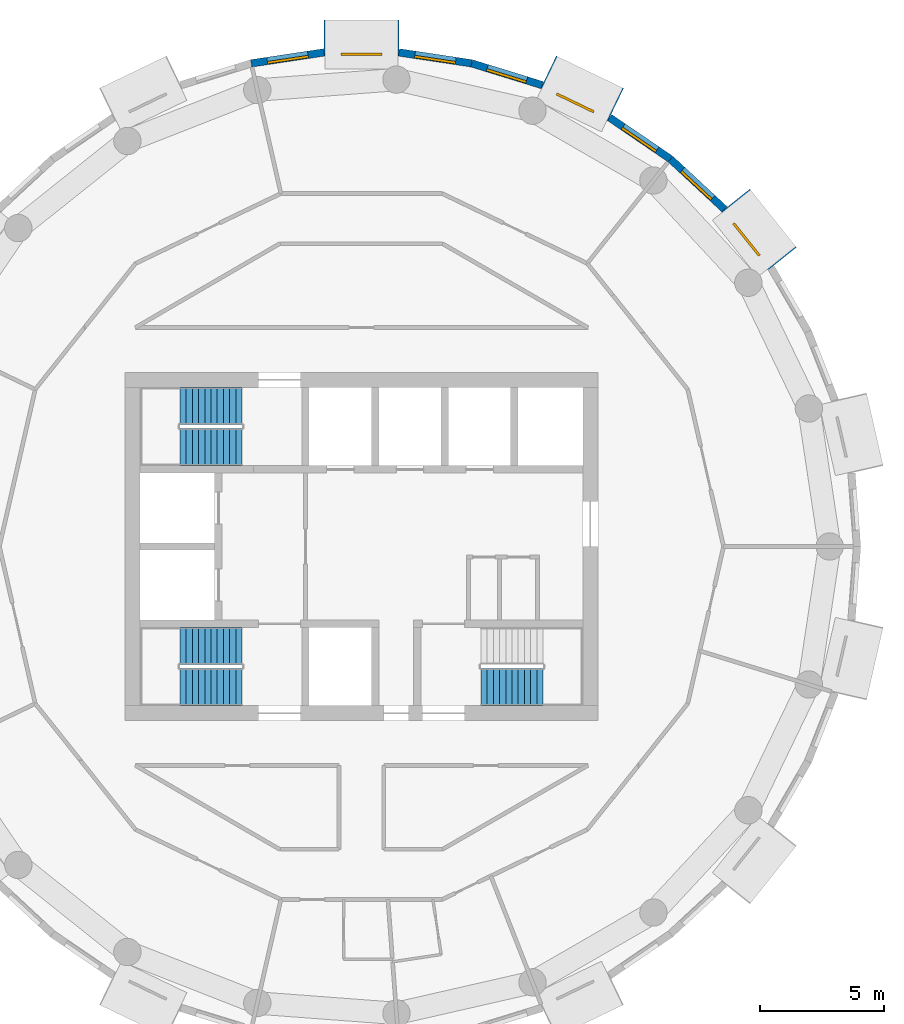
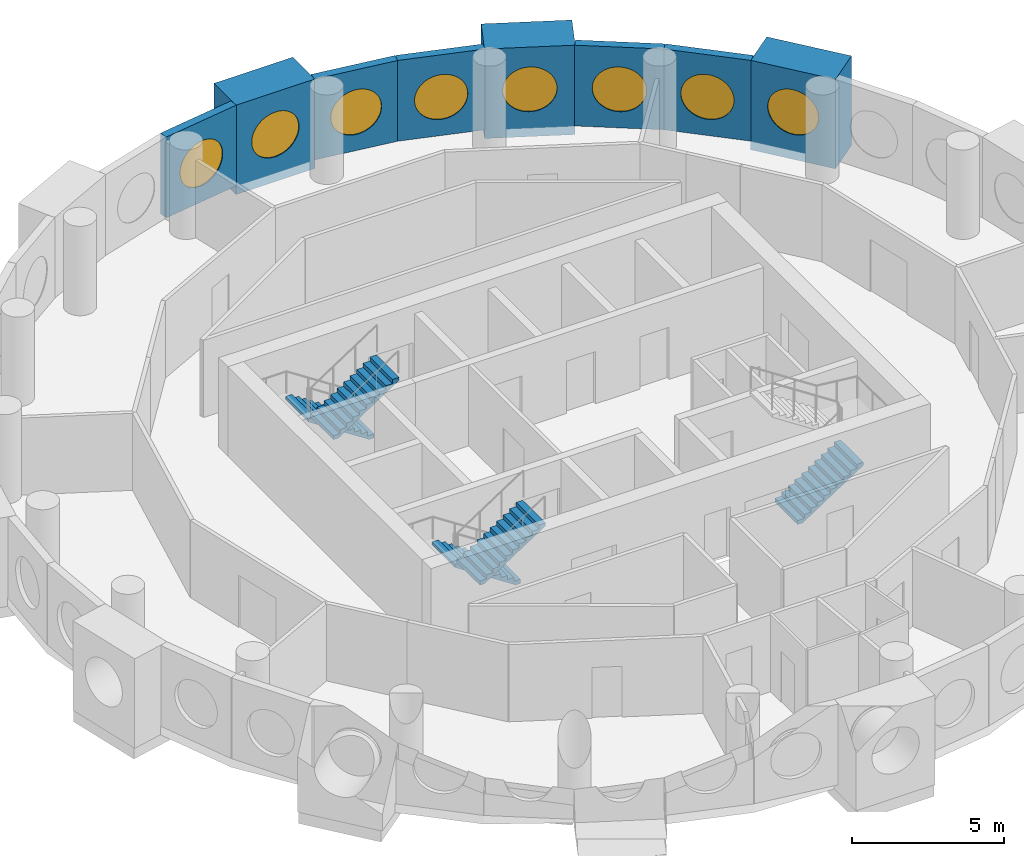
# One storey, part 11 of 13: 8 walls, 8 windows, 5 stair flights, 8 openings, 3 elements without a shape of their own.
"""IFC4 building model written with IfcOpenShell, lengths in metres."""

import ifcopenshell
import ifcopenshell.guid

model = None  # the IFC model being written
_history = None  # IfcOwnerHistory: only IFC2X3 demands one
_inside = {}  # id of a spatial element -> (the spatial element, [elements in it])
_under = {}  # id of a project, library or spatial element -> (it, [spatial elements below it])
_declared = {}  # id of a project -> (the project, [libraries it declares])
_typed = {}  # id of a type object -> (the type object, [elements of that type])
_made_of = {}  # id of a material, layer set ... -> (it, [elements and type objects made of it])


def new_model(schema):
    """Start an empty IFC model of exactly this schema.

    Asked for "IFC4X3", IfcOpenShell would pick the latest addendum, in which some entities
    have other attributes; the version numbers below select the first issue.
    IFC2X3 requires an IfcOwnerHistory on every rooted entity: one is made here for all.
    """
    global model, _history
    if schema == "IFC4X3":
        model = ifcopenshell.file(schema_version=(4, 3, 0, 0))
    else:
        model = ifcopenshell.file(schema=schema)
    _inside.clear()
    _under.clear()
    _declared.clear()
    _typed.clear()
    _made_of.clear()
    _history = None
    if model.schema == "IFC2X3":
        org = make("IfcOrganization", Name="unknown")
        user = make(
            "IfcPersonAndOrganization",
            ThePerson=make("IfcPerson", FamilyName="unknown"),
            TheOrganization=org,
        )
        app = make(
            "IfcApplication",
            ApplicationDeveloper=org,
            Version="unknown",
            ApplicationFullName="unknown",
            ApplicationIdentifier="unknown",
        )
        _history = make(
            "IfcOwnerHistory",
            OwningUser=user,
            OwningApplication=app,
            ChangeAction="ADDED",
            CreationDate=0,
        )
    return model


def make(cls, **values):
    """One entity of the class cls with the attributes given. An attribute that is None is left unset."""
    return model.create_entity(
        cls, **{name: value for name, value in values.items() if value is not None}
    )


def rooted(cls, **values):
    """An entity with a GlobalId (a new one), such as an element, a storey or a relation."""
    return make(cls, GlobalId=ifcopenshell.guid.new(), OwnerHistory=_history, **values)


def si_unit(unit_type, name, prefix=None):
    """IfcSIUnit, for example si_unit("LENGTHUNIT", "METRE", prefix="MILLI")."""
    return make("IfcSIUnit", UnitType=unit_type, Prefix=prefix, Name=name)


def assignment(units):
    """IfcUnitAssignment: the units of a project."""
    return None if units is None else make("IfcUnitAssignment", Units=units)


def point(xyz):
    """IfcCartesianPoint."""
    return None if xyz is None else make("IfcCartesianPoint", Coordinates=xyz)


def direction(xyz):
    """IfcDirection."""
    return None if xyz is None else make("IfcDirection", DirectionRatios=xyz)


def frame(location, z_axis=None, x_axis=None):
    """IfcAxis2Placement3D, a coordinate frame: its origin and axes. An axis left out is left unset."""
    return make(
        "IfcAxis2Placement3D",
        Location=point(location),
        Axis=direction(z_axis),
        RefDirection=direction(x_axis),
    )


def frame_2d(location, x_axis=None):
    """IfcAxis2Placement2D, a coordinate frame in the plane: its origin and x axis."""
    return make(
        "IfcAxis2Placement2D", Location=point(location), RefDirection=direction(x_axis)
    )


def origin():
    """The frame at (0, 0, 0) with its axes left unset."""
    return frame((0.0, 0.0, 0.0))


def origin_2d():
    """The frame at (0, 0) in the plane with its x axis left unset."""
    return frame_2d((0.0, 0.0))


def place(relative_to, where):
    """IfcLocalPlacement: puts the frame where relative to a parent placement (None: the world)."""
    return make(
        "IfcLocalPlacement", PlacementRelTo=relative_to, RelativePlacement=where
    )


def context(
    kind, dimensions, precision=None, world=None, true_north=None, identifier=None
):
    """IfcGeometricRepresentationContext, for example the 3D "Model" context."""
    return make(
        "IfcGeometricRepresentationContext",
        ContextIdentifier=identifier,
        ContextType=kind,
        CoordinateSpaceDimension=dimensions,
        Precision=precision,
        WorldCoordinateSystem=world,
        TrueNorth=true_north,
    )


def subcontext(parent, identifier, kind, view, scale=None):
    """IfcGeometricRepresentationSubContext, for example "Body" below "Model"."""
    return make(
        "IfcGeometricRepresentationSubContext",
        ContextIdentifier=identifier,
        ContextType=kind,
        ParentContext=parent,
        TargetScale=scale,
        TargetView=view,
    )


def project(units=None, contexts=None):
    """IfcProject with its units and contexts."""
    return rooted(
        "IfcProject",
        Name="project",
        RepresentationContexts=contexts,
        UnitsInContext=assignment(units),
    )


def spatial(cls, under=None, at=None, **own):
    """A site, building, storey or space (cls), placed at a placement, below another one or the project."""
    s = rooted(cls, ObjectPlacement=at, **own)
    if under is not None:
        _under.setdefault(under.id(), (under, []))[1].append(s)
    return s


def polyline(points):
    """IfcPolyline through the points."""
    return make("IfcPolyline", Points=[point(p) for p in points])


def profile(cls, at=None, kind="AREA", **sizes):
    """A parametric profile (cls). Its sizes go by their IFC names, for example OverallWidth=200.0."""
    return make(cls, ProfileType=kind, Position=at, **sizes)


def rectangle(**sizes):
    """IfcRectangleProfileDef."""
    return profile("IfcRectangleProfileDef", **sizes)


def circle(**sizes):
    """IfcCircleProfileDef."""
    return profile("IfcCircleProfileDef", **sizes)


def outline(outer, holes=None, kind="AREA"):
    """IfcArbitraryClosedProfileDef: a profile drawn as a closed curve; with holes, ...WithVoids."""
    if holes is None:
        return make("IfcArbitraryClosedProfileDef", ProfileType=kind, OuterCurve=outer)
    return make(
        "IfcArbitraryProfileDefWithVoids",
        ProfileType=kind,
        OuterCurve=outer,
        InnerCurves=holes,
    )


def extrude(swept, where, along, depth):
    """IfcExtrudedAreaSolid: the profile swept, set in the frame where, extruded along a direction by depth."""
    return make(
        "IfcExtrudedAreaSolid",
        SweptArea=swept,
        Position=where,
        ExtrudedDirection=direction(along),
        Depth=depth,
    )


def shape(context_of_items, identifier, shape_type, items):
    """IfcShapeRepresentation: the items that make up one representation, for example the "Body"."""
    return make(
        "IfcShapeRepresentation",
        ContextOfItems=context_of_items,
        RepresentationIdentifier=identifier,
        RepresentationType=shape_type,
        Items=items,
    )


def material(Name=None, Category=None):
    """IfcMaterial."""
    return make("IfcMaterial", Name=Name, Category=Category)


def layer(
    of_material, thickness, ventilated=None, Name=None, Category=None, Priority=None
):
    """IfcMaterialLayer: one layer of a wall or slab, of a material (None: an air gap)."""
    return make(
        "IfcMaterialLayer",
        Material=of_material,
        LayerThickness=thickness,
        IsVentilated=ventilated,
        Name=Name,
        Category=Category,
        Priority=Priority,
    )


def layer_set(layers, Name=None):
    """IfcMaterialLayerSet."""
    return make("IfcMaterialLayerSet", MaterialLayers=layers, LayerSetName=Name)


def made_of(thing, what):
    """Note that an element or type object is made of a material, layer set ...; save() writes the relation."""
    if what is not None:
        _made_of.setdefault(what.id(), (what, []))[1].append(thing)
    return thing


def type_object(cls, material=None, **own):
    """A type object (cls), such as IfcWallType, which elements share."""
    return made_of(rooted(cls, **own), material)


def element(
    cls,
    number,
    at=None,
    inside=None,
    cuts=None,
    type_object=None,
    material=None,
    context=None,
    identifier="Body",
    shape_type=None,
    held_by="IfcProductDefinitionShape",
    body=None,
    shapes=None,
    **own,
):
    """One element of the class cls, such as IfcWall. Its Tag is "e" and its number.

    at: its placement. inside: the storey or other place that contains it. cuts: it is an
    opening in that element (IfcRelVoidsElement). A single representation is given by context,
    identifier, shape_type and body (its items); several are given by shapes. held_by: the class
    of the entity that holds the representations. save() writes the other relations.
    """
    e = rooted(cls, Tag="e%d" % number, ObjectPlacement=at, **own)
    if body is not None:
        shapes = [shape(context, identifier, shape_type, body)]
    if shapes is not None:
        e.Representation = make(held_by, Representations=shapes)
    if inside is not None:
        _inside.setdefault(inside.id(), (inside, []))[1].append(e)
    if cuts is not None:
        rooted(
            "IfcRelVoidsElement", RelatingBuildingElement=cuts, RelatedOpeningElement=e
        )
    if type_object is not None:
        _typed.setdefault(type_object.id(), (type_object, []))[1].append(e)
    return made_of(e, material)


def fill(opening, filler):
    """IfcRelFillsElement: the door or window that sits in an opening."""
    return rooted(
        "IfcRelFillsElement",
        RelatingOpeningElement=opening,
        RelatedBuildingElement=filler,
    )


def aggregate(whole, parts):
    """IfcRelAggregates: a whole, such as a stair, and the parts it consists of."""
    return rooted("IfcRelAggregates", RelatingObject=whole, RelatedObjects=parts)


def save(model, path):
    """Write the relations noted so far, then the file.

    IfcRelAggregates (storeys below a building ...), IfcRelContainedInSpatialStructure (elements
    in a storey), IfcRelDefinesByType, IfcRelAssociatesMaterial and IfcRelDeclares: one each for
    every whole, place, type object, material and project.
    """
    for whole, parts in _under.values():
        aggregate(whole, parts)
    for where, things in _inside.values():
        rooted(
            "IfcRelContainedInSpatialStructure",
            RelatedElements=things,
            RelatingStructure=where,
        )
    for kind, things in _typed.values():
        rooted("IfcRelDefinesByType", RelatedObjects=things, RelatingType=kind)
    for what, things in _made_of.values():
        rooted("IfcRelAssociatesMaterial", RelatedObjects=things, RelatingMaterial=what)
    for by, libraries in _declared.values():
        rooted("IfcRelDeclares", RelatingContext=by, RelatedDefinitions=libraries)
    model.write(path)


model = new_model("IFC4")

# Units and contexts
model_context = context("Model", 3, precision=1e-05, world=origin(), true_north=direction((0.0, 1.0)))
body_context = subcontext(model_context, "Body", "Model", "MODEL_VIEW")
ifc_project = project(units=[si_unit("LENGTHUNIT", "METRE"), si_unit("AREAUNIT", "SQUARE_METRE"), si_unit("VOLUMEUNIT", "CUBIC_METRE"), si_unit("PLANEANGLEUNIT", "RADIAN"), si_unit("MASSUNIT", "GRAM", prefix="KILO")], contexts=[model_context])

# Site, building, storey
site_placement = place(None, origin())
site = spatial("IfcSite", under=ifc_project, at=site_placement, CompositionType="ELEMENT")
building_placement = place(site_placement, origin())
building = spatial("IfcBuilding", under=site, at=building_placement, Name="Tracery Tower", CompositionType="ELEMENT")
storey_placement = place(building_placement, frame((0.0, 0.0, 270.60009765625)))
storey = spatial("IfcBuildingStorey", under=building, at=storey_placement, Name="L70", CompositionType="ELEMENT", Elevation=270.60009765625)

# Wall, opening, window
ifc_material_1 = material(Name="Precast concrete C50/60", Category="concrete")
ifc_layer_1 = layer(ifc_material_1, 1.449951171875)
ifc_layer_set_1 = layer_set([ifc_layer_1], Name="Deep-set bay unit 3000 x 3600, slab edge 350")
wall_type_1 = type_object("IfcWallType", Name="Deep-set bay unit 3000 x 3600, slab edge 350", PredefinedType="ELEMENTEDWALL", material=ifc_layer_set_1)
wall_1_placement = place(storey_placement, frame((16.916748046875, 11.572021484375, -0.35009765625), z_axis=(0.0, 0.0, 1.0), x_axis=(-0.623523286312, 0.781804778335, 0.0)))
wall_1 = element("IfcWall", 1, at=wall_1_placement, inside=storey, type_object=wall_type_1, Name="Deep-set bay unit 5 at L70", PredefinedType="ELEMENTEDWALL", context=body_context, shape_type="SweptSolid", body=[
    extrude(rectangle(XDim=3.0, YDim=1.449951171875, at=frame_2d((1.5, 0.0))), origin(), (0.0, 0.0, 1.0), 3.60009765625),
])
opening_1_placement = place(wall_1_placement, frame((1.5, 0.0, 1.89990234375)))
opening_1 = element("IfcOpeningElement", 2, at=opening_1_placement, cuts=wall_1, Name="Opening WN1", PredefinedType="OPENING", context=body_context, shape_type="SweptSolid", body=[
    extrude(circle(Radius=0.9000244140625, at=origin_2d()), frame((0.0, 0.73486328125, 0.0), z_axis=(0.0, -1.0, 0.0), x_axis=(1.0, 0.0, 0.0)), (0.0, 0.0, 1.0), 1.469970703125),
])
ifc_material_2 = material(Name="Aluminium frame with tinted double glazing", Category="aluminium")
window_type = type_object("IfcWindowType", Name="Round window 1800", PartitioningType="SINGLE_PANEL", PredefinedType="WINDOW", material=ifc_material_2)
window_1_placement = place(opening_1_placement, origin())
window_1 = element("IfcWindow", 3, at=window_1_placement, inside=storey, type_object=window_type, Name="Round window 5 at L70", OverallHeight=1.800048828125, OverallWidth=1.800048828125, PartitioningType="SINGLE_PANEL", PredefinedType="WINDOW", context=body_context, shape_type="SweptSolid", body=[
    extrude(circle(Radius=0.9000244140625, at=origin_2d()), frame((0.0, 0.69482421875, 0.0), z_axis=(0.0, -1.0, 0.0), x_axis=(1.0, 0.0, 0.0)), (0.0, 0.0, 1.0), 0.10009765625),
])
fill(opening_1, window_1)

wall_2_placement = place(storey_placement, frame((10.220458984375, 17.765869140625, -0.35009765625), z_axis=(0.0, 0.0, 1.0), x_axis=(-0.900953362039, 0.433915935904, 0.0)))
wall_2 = element("IfcWall", 4, at=wall_2_placement, inside=storey, type_object=wall_type_1, Name="Deep-set bay unit 8 at L70", PredefinedType="ELEMENTEDWALL", context=body_context, shape_type="SweptSolid", body=[
    extrude(rectangle(XDim=3.0, YDim=1.449951171875, at=frame_2d((1.5, 0.0))), origin(), (0.0, 0.0, 1.0), 3.60009765625),
])
opening_2_placement = place(wall_2_placement, frame((1.5, 0.0, 1.89990234375)))
opening_2 = element("IfcOpeningElement", 5, at=opening_2_placement, cuts=wall_2, Name="Opening WN1", PredefinedType="OPENING", context=body_context, shape_type="SweptSolid", body=[
    extrude(circle(Radius=0.9000244140625, at=origin_2d()), frame((0.0, 0.73486328125, 0.0), z_axis=(0.0, -1.0, 0.0), x_axis=(1.0, 0.0, 0.0)), (0.0, 0.0, 1.0), 1.469970703125),
])
window_2_placement = place(opening_2_placement, origin())
window_2 = element("IfcWindow", 6, at=window_2_placement, inside=storey, type_object=window_type, Name="Round window 8 at L70", OverallHeight=1.800048828125, OverallWidth=1.800048828125, PartitioningType="SINGLE_PANEL", PredefinedType="WINDOW", context=body_context, shape_type="SweptSolid", body=[
    extrude(circle(Radius=0.9000244140625, at=origin_2d()), frame((0.0, 0.69482421875, 0.0), z_axis=(0.0, -1.0, 0.0), x_axis=(1.0, 0.0, 0.0)), (0.0, 0.0, 1.0), 0.10009765625),
])
fill(opening_2, window_2)

wall_3_placement = place(storey_placement, frame((1.5, 20.441162109375, -0.35009765625), z_axis=(0.0, 0.0, 1.0), x_axis=(-1.0, 0.0, 0.0)))
wall_3 = element("IfcWall", 7, at=wall_3_placement, inside=storey, type_object=wall_type_1, Name="Deep-set bay unit 11 at L70", PredefinedType="ELEMENTEDWALL", context=body_context, shape_type="SweptSolid", body=[
    extrude(rectangle(XDim=3.0, YDim=1.449951171875, at=frame_2d((1.5, 0.0))), origin(), (0.0, 0.0, 1.0), 3.60009765625),
])
opening_3_placement = place(wall_3_placement, frame((1.5, 0.0, 1.89990234375)))
opening_3 = element("IfcOpeningElement", 8, at=opening_3_placement, cuts=wall_3, Name="Opening WN1", PredefinedType="OPENING", context=body_context, shape_type="SweptSolid", body=[
    extrude(circle(Radius=0.9000244140625, at=origin_2d()), frame((0.0, 0.73486328125, 0.0), z_axis=(0.0, -1.0, 0.0), x_axis=(1.0, 0.0, 0.0)), (0.0, 0.0, 1.0), 1.469970703125),
])
window_3_placement = place(opening_3_placement, origin())
window_3 = element("IfcWindow", 9, at=window_3_placement, inside=storey, type_object=window_type, Name="Round window 11 at L70", OverallHeight=1.800048828125, OverallWidth=1.800048828125, PartitioningType="SINGLE_PANEL", PredefinedType="WINDOW", context=body_context, shape_type="SweptSolid", body=[
    extrude(circle(Radius=0.9000244140625, at=origin_2d()), frame((0.0, 0.69482421875, 0.0), z_axis=(0.0, -1.0, 0.0), x_axis=(1.0, 0.0, 0.0)), (0.0, 0.0, 1.0), 0.10009765625),
])
fill(opening_3, window_3)

ifc_material_3 = material(Name="Precast concrete C50/60", Category="concrete")
ifc_layer_2 = layer(ifc_material_3, 0.300048828125)
ifc_layer_set_2 = layer_set([ifc_layer_2], Name="Facade panel 3000 x 3250")
wall_type_2 = type_object("IfcWallType", Name="Facade panel 3000 x 3250", PredefinedType="SOLIDWALL", material=ifc_layer_set_2)
wall_4_placement = place(storey_placement, frame((14.592529296875, 13.560546875, 0.0), z_axis=(0.0, 0.0, 1.0), x_axis=(-0.733028283666, 0.680198158882, 0.0)))
wall_4 = element("IfcWall", 10, at=wall_4_placement, inside=storey, type_object=wall_type_2, Name="Facade panel 6 at L70", PredefinedType="SOLIDWALL", context=body_context, shape_type="SweptSolid", body=[
    extrude(rectangle(XDim=2.962158203125, YDim=0.300048828125, at=frame_2d((1.48095703125, 0.0))), origin(), (0.0, 0.0, 1.0), 3.25),
])
opening_4_placement = place(wall_4_placement, frame((1.48095703125, 0.0, 1.5498046875)))
opening_4 = element("IfcOpeningElement", 11, at=opening_4_placement, cuts=wall_4, Name="Opening WN1", PredefinedType="OPENING", context=body_context, shape_type="SweptSolid", body=[
    extrude(circle(Radius=0.9000244140625, at=origin_2d()), frame((0.0, 0.159912109375, 0.0), z_axis=(0.0, -1.0, 0.0), x_axis=(1.0, 0.0, 0.0)), (0.0, 0.0, 1.0), 0.320068359375),
])
window_4_placement = place(opening_4_placement, origin())
window_4 = element("IfcWindow", 12, at=window_4_placement, inside=storey, type_object=window_type, Name="Round window 6 at L70", OverallHeight=1.800048828125, OverallWidth=1.800048828125, PartitioningType="SINGLE_PANEL", PredefinedType="WINDOW", context=body_context, shape_type="SweptSolid", body=[
    extrude(circle(Radius=0.9000244140625, at=origin_2d()), frame((0.0, 0.1201171875, 0.0), z_axis=(0.0, -1.0, 0.0), x_axis=(1.0, 0.0, 0.0)), (0.0, 0.0, 1.0), 0.10009765625),
])
fill(opening_4, window_4)

wall_5_placement = place(storey_placement, frame((12.421142578125, 15.575439453125, 0.0), z_axis=(0.0, 0.0, 1.0), x_axis=(-0.826236061068, 0.563324037646, 0.0)))
wall_5 = element("IfcWall", 13, at=wall_5_placement, inside=storey, type_object=wall_type_2, Name="Facade panel 7 at L70", PredefinedType="SOLIDWALL", context=body_context, shape_type="SweptSolid", body=[
    extrude(rectangle(XDim=2.962158203125, YDim=0.300048828125, at=frame_2d((1.48095703125, 0.0))), origin(), (0.0, 0.0, 1.0), 3.25),
])
opening_5_placement = place(wall_5_placement, frame((1.48095703125, 0.0, 1.5498046875)))
opening_5 = element("IfcOpeningElement", 14, at=opening_5_placement, cuts=wall_5, Name="Opening WN1", PredefinedType="OPENING", context=body_context, shape_type="SweptSolid", body=[
    extrude(circle(Radius=0.9000244140625, at=origin_2d()), frame((0.0, 0.159912109375, 0.0), z_axis=(0.0, -1.0, 0.0), x_axis=(1.0, 0.0, 0.0)), (0.0, 0.0, 1.0), 0.320068359375),
])
window_5_placement = place(opening_5_placement, origin())
window_5 = element("IfcWindow", 15, at=window_5_placement, inside=storey, type_object=window_type, Name="Round window 7 at L70", OverallHeight=1.800048828125, OverallWidth=1.800048828125, PartitioningType="SINGLE_PANEL", PredefinedType="WINDOW", context=body_context, shape_type="SweptSolid", body=[
    extrude(circle(Radius=0.9000244140625, at=origin_2d()), frame((0.0, 0.1201171875, 0.0), z_axis=(0.0, -1.0, 0.0), x_axis=(1.0, 0.0, 0.0)), (0.0, 0.0, 1.0), 0.10009765625),
])
fill(opening_5, window_5)

wall_6_placement = place(storey_placement, frame((7.263671875, 18.549072265625, 0.0), z_axis=(0.0, 0.0, 1.0), x_axis=(-0.955555982805, 0.29480970765, 0.0)))
wall_6 = element("IfcWall", 16, at=wall_6_placement, inside=storey, type_object=wall_type_2, Name="Facade panel 9 at L70", PredefinedType="SOLIDWALL", context=body_context, shape_type="SweptSolid", body=[
    extrude(rectangle(XDim=2.962158203125, YDim=0.300048828125, at=frame_2d((1.48095703125, 0.0))), origin(), (0.0, 0.0, 1.0), 3.25),
])
opening_6_placement = place(wall_6_placement, frame((1.48095703125, 0.0, 1.5498046875)))
opening_6 = element("IfcOpeningElement", 17, at=opening_6_placement, cuts=wall_6, Name="Opening WN1", PredefinedType="OPENING", context=body_context, shape_type="SweptSolid", body=[
    extrude(circle(Radius=0.9000244140625, at=origin_2d()), frame((0.0, 0.159912109375, 0.0), z_axis=(0.0, -1.0, 0.0), x_axis=(1.0, 0.0, 0.0)), (0.0, 0.0, 1.0), 0.320068359375),
])
window_6_placement = place(opening_6_placement, origin())
window_6 = element("IfcWindow", 18, at=window_6_placement, inside=storey, type_object=window_type, Name="Round window 9 at L70", OverallHeight=1.800048828125, OverallWidth=1.800048828125, PartitioningType="SINGLE_PANEL", PredefinedType="WINDOW", context=body_context, shape_type="SweptSolid", body=[
    extrude(circle(Radius=0.9000244140625, at=origin_2d()), frame((0.0, 0.1201171875, 0.0), z_axis=(0.0, -1.0, 0.0), x_axis=(1.0, 0.0, 0.0)), (0.0, 0.0, 1.0), 0.10009765625),
])
fill(opening_6, window_6)

wall_7_placement = place(storey_placement, frame((4.43310546875, 19.42236328125, 0.0), z_axis=(0.0, 0.0, 1.0), x_axis=(-0.988835775663, 0.149009425104, 0.0)))
wall_7 = element("IfcWall", 19, at=wall_7_placement, inside=storey, type_object=wall_type_2, Name="Facade panel 10 at L70", PredefinedType="SOLIDWALL", context=body_context, shape_type="SweptSolid", body=[
    extrude(rectangle(XDim=2.962158203125, YDim=0.300048828125, at=frame_2d((1.48095703125, 0.0))), origin(), (0.0, 0.0, 1.0), 3.25),
])
opening_7_placement = place(wall_7_placement, frame((1.48095703125, 0.0, 1.5498046875)))
opening_7 = element("IfcOpeningElement", 20, at=opening_7_placement, cuts=wall_7, Name="Opening WN1", PredefinedType="OPENING", context=body_context, shape_type="SweptSolid", body=[
    extrude(circle(Radius=0.9000244140625, at=origin_2d()), frame((0.0, 0.159912109375, 0.0), z_axis=(0.0, -1.0, 0.0), x_axis=(1.0, 0.0, 0.0)), (0.0, 0.0, 1.0), 0.320068359375),
])
window_7_placement = place(opening_7_placement, origin())
window_7 = element("IfcWindow", 21, at=window_7_placement, inside=storey, type_object=window_type, Name="Round window 10 at L70", OverallHeight=1.800048828125, OverallWidth=1.800048828125, PartitioningType="SINGLE_PANEL", PredefinedType="WINDOW", context=body_context, shape_type="SweptSolid", body=[
    extrude(circle(Radius=0.9000244140625, at=origin_2d()), frame((0.0, 0.1201171875, 0.0), z_axis=(0.0, -1.0, 0.0), x_axis=(1.0, 0.0, 0.0)), (0.0, 0.0, 1.0), 0.10009765625),
])
fill(opening_7, window_7)

wall_8_placement = place(storey_placement, frame((-1.50390625, 19.86376953125, 0.0), z_axis=(0.0, 0.0, 1.0), x_axis=(-0.988835775663, -0.149009425104, 0.0)))
wall_8 = element("IfcWall", 22, at=wall_8_placement, inside=storey, type_object=wall_type_2, Name="Facade panel 12 at L70", PredefinedType="SOLIDWALL", context=body_context, shape_type="SweptSolid", body=[
    extrude(rectangle(XDim=2.962158203125, YDim=0.300048828125, at=frame_2d((1.48095703125, 0.0))), origin(), (0.0, 0.0, 1.0), 3.25),
])
opening_8_placement = place(wall_8_placement, frame((1.48095703125, 0.0, 1.5498046875)))
opening_8 = element("IfcOpeningElement", 23, at=opening_8_placement, cuts=wall_8, Name="Opening WN1", PredefinedType="OPENING", context=body_context, shape_type="SweptSolid", body=[
    extrude(circle(Radius=0.9000244140625, at=origin_2d()), frame((0.0, 0.159912109375, 0.0), z_axis=(0.0, -1.0, 0.0), x_axis=(1.0, 0.0, 0.0)), (0.0, 0.0, 1.0), 0.320068359375),
])
window_8_placement = place(opening_8_placement, origin())
window_8 = element("IfcWindow", 24, at=window_8_placement, inside=storey, type_object=window_type, Name="Round window 12 at L70", OverallHeight=1.800048828125, OverallWidth=1.800048828125, PartitioningType="SINGLE_PANEL", PredefinedType="WINDOW", context=body_context, shape_type="SweptSolid", body=[
    extrude(circle(Radius=0.9000244140625, at=origin_2d()), frame((0.0, 0.1201171875, 0.0), z_axis=(0.0, -1.0, 0.0), x_axis=(1.0, 0.0, 0.0)), (0.0, 0.0, 1.0), 0.10009765625),
])
fill(opening_8, window_8)

# Stair, stair flights
ifc_material_4 = material(Name="Concrete C32/40", Category="concrete")
stair_type = type_object("IfcStairType", Name="Core stair 22 risers", PredefinedType="HALF_TURN_STAIR", material=ifc_material_4)
stair_1_placement = place(storey_placement, origin())
stair_1 = element("IfcStair", 25, at=stair_1_placement, inside=storey, type_object=stair_type, Name="L70 stair ST1", PredefinedType="HALF_TURN_STAIR")
ifc_material_5 = material(Name="Concrete C32/40", Category="concrete")
stair_flight_type = type_object("IfcStairFlightType", Name="Core stair flight 11 risers", PredefinedType="STRAIGHT", material=ifc_material_5)
stair_flight_1_placement = place(storey_placement, frame((-4.800048828125, -4.0, 0.0), z_axis=(0.0, 0.0, 1.0), x_axis=(-1.0, 0.0, 0.0)))
stair_flight_1 = element("IfcStairFlight", 26, at=stair_flight_1_placement, type_object=stair_flight_type, Name="ST1 flight 1", NumberOfRisers=11, NumberOfTreads=10, PredefinedType="STRAIGHT", RiserHeight=0.163636364, TreadLength=0.25, context=body_context, shape_type="SweptSolid", body=[
    extrude(outline(polyline([(0.0, 0.0), (0.0, 0.002685546875), (0.0, 0.00537109375), (0.0, 0.008056640625), (0.0, 0.0107421875), (0.0, 0.013427734375), (0.0, 0.01611328125), (0.0, 0.018798828125), (0.0, 0.021484375), (0.0, 0.024169921875), (0.0, 0.02685546875), (0.0, 0.029541015625), (0.0, 0.0322265625), (0.0, 0.034912109375), (0.0, 0.03759765625), (0.0, 0.040283203125), (0.0, 0.04296875), (0.0, 0.045654296875), (0.0, 0.04833984375), (0.0, 0.051025390625), (0.0, 0.0537109375), (0.0, 0.056396484375), (0.0, 0.05908203125), (0.0, 0.061767578125), (0.0, 0.064453125), (0.0, 0.067138671875), (0.0, 0.06982421875), (0.0, 0.072509765625), (0.0, 0.0751953125), (0.0, 0.077880859375), (0.0, 0.08056640625), (0.0, 0.083251953125), (0.0, 0.0859375), (0.0, 0.088623046875), (0.0, 0.09130859375), (0.0, 0.093994140625), (0.0, 0.0966796875), (0.0, 0.099365234375), (0.0, 0.10205078125), (0.0, 0.104736328125), (0.0, 0.107421875), (0.0, 0.10986328125), (0.0, 0.112548828125), (0.0, 0.115234375), (0.0, 0.117919921875), (0.0, 0.12060546875), (0.0, 0.123291015625), (0.0, 0.1259765625), (0.0, 0.128662109375), (0.0, 0.13134765625), (0.0, 0.134033203125), (0.0, 0.13671875), (0.0, 0.139404296875), (0.0, 0.14208984375), (0.0, 0.144775390625), (0.0, 0.1474609375), (0.0, 0.150146484375), (0.0, 0.15283203125), (0.0, 0.155517578125), (0.0, 0.158203125), (0.0, 0.160888671875), (0.0, 0.16357421875), (0.25, 0.16357421875), (0.25, 0.327392578125), (0.5, 0.327392578125), (0.5, 0.490966796875), (0.75, 0.490966796875), (0.75, 0.654541015625), (1.0, 0.654541015625), (1.0, 0.818115234375), (1.25, 0.818115234375), (1.25, 0.98193359375), (1.5, 0.98193359375), (1.5, 1.1455078125), (1.75, 1.1455078125), (1.75, 1.30908203125), (2.0, 1.30908203125), (2.0, 1.47265625), (2.25, 1.47265625), (2.25, 1.636474609375), (2.5, 1.636474609375), (2.5, 1.634521484375), (2.5, 1.63232421875), (2.5, 1.63037109375), (2.5, 1.62841796875), (2.5, 1.62646484375), (2.5, 1.62451171875), (2.5, 1.62255859375), (2.5, 1.62060546875), (2.5, 1.61865234375), (2.5, 1.61669921875), (2.5, 1.61474609375), (2.5, 1.61279296875), (2.5, 1.61083984375), (2.5, 1.60888671875), (2.5, 1.60693359375), (2.5, 1.60498046875), (2.5, 1.60302734375), (2.5, 1.60107421875), (2.5, 1.59912109375), (2.5, 1.59716796875), (2.5, 1.59521484375), (2.5, 1.59326171875), (2.5, 1.59130859375), (2.5, 1.58935546875), (2.5, 1.58740234375), (2.5, 1.58544921875), (2.5, 1.58349609375), (2.5, 1.58154296875), (2.5, 1.57958984375), (2.5, 1.57763671875), (2.5, 1.57568359375), (2.5, 1.573486328125), (2.5, 1.571533203125), (2.5, 1.569580078125), (2.5, 1.567626953125), (2.5, 1.565673828125), (2.5, 1.563720703125), (2.5, 1.561767578125), (2.5, 1.559814453125), (2.5, 1.557861328125), (2.5, 1.555908203125), (2.5, 1.553955078125), (2.5, 1.552001953125), (2.5, 1.550048828125), (2.5, 1.548095703125), (2.5, 1.546142578125), (2.5, 1.544189453125), (2.5, 1.542236328125), (2.5, 1.540283203125), (2.5, 1.538330078125), (2.5, 1.536376953125), (2.5, 1.534423828125), (2.5, 1.532470703125), (2.5, 1.530517578125), (2.5, 1.528564453125), (2.5, 1.526611328125), (2.5, 1.524658203125), (2.5, 1.522705078125), (2.5, 1.520751953125), (2.5, 1.518798828125), (2.5, 1.516845703125), (0.182861328125, 0.0), (0.0, 0.0)])), frame((0.0, 0.75, 0.0), z_axis=(0.0, -1.0, 0.0), x_axis=(1.0, 0.0, 0.0)), (0.0, 0.0, 1.0), 1.5),
])
stair_flight_2_placement = place(storey_placement, frame((-7.300048828125, -5.64990234375, 1.7998046875), z_axis=(0.0, 0.0, 1.0), x_axis=(1.0, 0.0, 0.0)))
stair_flight_2 = element("IfcStairFlight", 27, at=stair_flight_2_placement, type_object=stair_flight_type, Name="ST1 flight 2", NumberOfRisers=11, NumberOfTreads=10, PredefinedType="STRAIGHT", RiserHeight=0.163636364, TreadLength=0.25, context=body_context, shape_type="SweptSolid", body=[
    extrude(outline(polyline([(0.0, 0.0), (0.0, 0.002685546875), (0.0, 0.00537109375), (0.0, 0.008056640625), (0.0, 0.0107421875), (0.0, 0.013427734375), (0.0, 0.01611328125), (0.0, 0.018798828125), (0.0, 0.021484375), (0.0, 0.024169921875), (0.0, 0.02685546875), (0.0, 0.029541015625), (0.0, 0.0322265625), (0.0, 0.034912109375), (0.0, 0.03759765625), (0.0, 0.040283203125), (0.0, 0.04296875), (0.0, 0.045654296875), (0.0, 0.04833984375), (0.0, 0.051025390625), (0.0, 0.0537109375), (0.0, 0.056396484375), (0.0, 0.05908203125), (0.0, 0.061767578125), (0.0, 0.064453125), (0.0, 0.067138671875), (0.0, 0.06982421875), (0.0, 0.072509765625), (0.0, 0.0751953125), (0.0, 0.077880859375), (0.0, 0.08056640625), (0.0, 0.083251953125), (0.0, 0.0859375), (0.0, 0.088623046875), (0.0, 0.09130859375), (0.0, 0.093994140625), (0.0, 0.0966796875), (0.0, 0.099365234375), (0.0, 0.10205078125), (0.0, 0.104736328125), (0.0, 0.107421875), (0.0, 0.10986328125), (0.0, 0.112548828125), (0.0, 0.115234375), (0.0, 0.117919921875), (0.0, 0.12060546875), (0.0, 0.123291015625), (0.0, 0.1259765625), (0.0, 0.128662109375), (0.0, 0.13134765625), (0.0, 0.134033203125), (0.0, 0.13671875), (0.0, 0.139404296875), (0.0, 0.14208984375), (0.0, 0.144775390625), (0.0, 0.1474609375), (0.0, 0.150146484375), (0.0, 0.15283203125), (0.0, 0.155517578125), (0.0, 0.158203125), (0.0, 0.160888671875), (0.0, 0.16357421875), (0.25, 0.16357421875), (0.25, 0.327392578125), (0.5, 0.327392578125), (0.5, 0.490966796875), (0.75, 0.490966796875), (0.75, 0.654541015625), (1.0, 0.654541015625), (1.0, 0.818115234375), (1.25, 0.818115234375), (1.25, 0.98193359375), (1.5, 0.98193359375), (1.5, 1.1455078125), (1.75, 1.1455078125), (1.75, 1.30908203125), (2.0, 1.30908203125), (2.0, 1.47265625), (2.25, 1.47265625), (2.25, 1.636474609375), (2.5, 1.636474609375), (2.5, 1.634521484375), (2.5, 1.63232421875), (2.5, 1.63037109375), (2.5, 1.62841796875), (2.5, 1.62646484375), (2.5, 1.62451171875), (2.5, 1.62255859375), (2.5, 1.62060546875), (2.5, 1.61865234375), (2.5, 1.61669921875), (2.5, 1.61474609375), (2.5, 1.61279296875), (2.5, 1.61083984375), (2.5, 1.60888671875), (2.5, 1.60693359375), (2.5, 1.60498046875), (2.5, 1.60302734375), (2.5, 1.60107421875), (2.5, 1.59912109375), (2.5, 1.59716796875), (2.5, 1.59521484375), (2.5, 1.59326171875), (2.5, 1.59130859375), (2.5, 1.58935546875), (2.5, 1.58740234375), (2.5, 1.58544921875), (2.5, 1.58349609375), (2.5, 1.58154296875), (2.5, 1.57958984375), (2.5, 1.57763671875), (2.5, 1.57568359375), (2.5, 1.573486328125), (2.5, 1.571533203125), (2.5, 1.569580078125), (2.5, 1.567626953125), (2.5, 1.565673828125), (2.5, 1.563720703125), (2.5, 1.561767578125), (2.5, 1.559814453125), (2.5, 1.557861328125), (2.5, 1.555908203125), (2.5, 1.553955078125), (2.5, 1.552001953125), (2.5, 1.550048828125), (2.5, 1.548095703125), (2.5, 1.546142578125), (2.5, 1.544189453125), (2.5, 1.542236328125), (2.5, 1.540283203125), (2.5, 1.538330078125), (2.5, 1.536376953125), (2.5, 1.534423828125), (2.5, 1.532470703125), (2.5, 1.530517578125), (2.5, 1.528564453125), (2.5, 1.526611328125), (2.5, 1.524658203125), (2.5, 1.522705078125), (2.5, 1.520751953125), (2.5, 1.518798828125), (2.5, 1.516845703125), (0.182861328125, 0.0), (0.0, 0.0)])), frame((0.0, 0.75, 0.0), z_axis=(0.0, -1.0, 0.0), x_axis=(1.0, 0.0, 0.0)), (0.0, 0.0, 1.0), 1.5),
])
aggregate(stair_1, [stair_flight_1, stair_flight_2])

stair_2_placement = place(storey_placement, origin())
stair_2 = element("IfcStair", 28, at=stair_2_placement, inside=storey, type_object=stair_type, Name="L70 stair ST3", PredefinedType="HALF_TURN_STAIR")
stair_flight_3_placement = place(storey_placement, frame((-4.800048828125, 5.64990234375, 0.0), z_axis=(0.0, 0.0, 1.0), x_axis=(-1.0, 0.0, 0.0)))
stair_flight_3 = element("IfcStairFlight", 29, at=stair_flight_3_placement, type_object=stair_flight_type, Name="ST3 flight 1", NumberOfRisers=11, NumberOfTreads=10, PredefinedType="STRAIGHT", RiserHeight=0.163636364, TreadLength=0.25, context=body_context, shape_type="SweptSolid", body=[
    extrude(outline(polyline([(0.0, 0.0), (0.0, 0.002685546875), (0.0, 0.00537109375), (0.0, 0.008056640625), (0.0, 0.0107421875), (0.0, 0.013427734375), (0.0, 0.01611328125), (0.0, 0.018798828125), (0.0, 0.021484375), (0.0, 0.024169921875), (0.0, 0.02685546875), (0.0, 0.029541015625), (0.0, 0.0322265625), (0.0, 0.034912109375), (0.0, 0.03759765625), (0.0, 0.040283203125), (0.0, 0.04296875), (0.0, 0.045654296875), (0.0, 0.04833984375), (0.0, 0.051025390625), (0.0, 0.0537109375), (0.0, 0.056396484375), (0.0, 0.05908203125), (0.0, 0.061767578125), (0.0, 0.064453125), (0.0, 0.067138671875), (0.0, 0.06982421875), (0.0, 0.072509765625), (0.0, 0.0751953125), (0.0, 0.077880859375), (0.0, 0.08056640625), (0.0, 0.083251953125), (0.0, 0.0859375), (0.0, 0.088623046875), (0.0, 0.09130859375), (0.0, 0.093994140625), (0.0, 0.0966796875), (0.0, 0.099365234375), (0.0, 0.10205078125), (0.0, 0.104736328125), (0.0, 0.107421875), (0.0, 0.10986328125), (0.0, 0.112548828125), (0.0, 0.115234375), (0.0, 0.117919921875), (0.0, 0.12060546875), (0.0, 0.123291015625), (0.0, 0.1259765625), (0.0, 0.128662109375), (0.0, 0.13134765625), (0.0, 0.134033203125), (0.0, 0.13671875), (0.0, 0.139404296875), (0.0, 0.14208984375), (0.0, 0.144775390625), (0.0, 0.1474609375), (0.0, 0.150146484375), (0.0, 0.15283203125), (0.0, 0.155517578125), (0.0, 0.158203125), (0.0, 0.160888671875), (0.0, 0.16357421875), (0.25, 0.16357421875), (0.25, 0.327392578125), (0.5, 0.327392578125), (0.5, 0.490966796875), (0.75, 0.490966796875), (0.75, 0.654541015625), (1.0, 0.654541015625), (1.0, 0.818115234375), (1.25, 0.818115234375), (1.25, 0.98193359375), (1.5, 0.98193359375), (1.5, 1.1455078125), (1.75, 1.1455078125), (1.75, 1.30908203125), (2.0, 1.30908203125), (2.0, 1.47265625), (2.25, 1.47265625), (2.25, 1.636474609375), (2.5, 1.636474609375), (2.5, 1.634521484375), (2.5, 1.63232421875), (2.5, 1.63037109375), (2.5, 1.62841796875), (2.5, 1.62646484375), (2.5, 1.62451171875), (2.5, 1.62255859375), (2.5, 1.62060546875), (2.5, 1.61865234375), (2.5, 1.61669921875), (2.5, 1.61474609375), (2.5, 1.61279296875), (2.5, 1.61083984375), (2.5, 1.60888671875), (2.5, 1.60693359375), (2.5, 1.60498046875), (2.5, 1.60302734375), (2.5, 1.60107421875), (2.5, 1.59912109375), (2.5, 1.59716796875), (2.5, 1.59521484375), (2.5, 1.59326171875), (2.5, 1.59130859375), (2.5, 1.58935546875), (2.5, 1.58740234375), (2.5, 1.58544921875), (2.5, 1.58349609375), (2.5, 1.58154296875), (2.5, 1.57958984375), (2.5, 1.57763671875), (2.5, 1.57568359375), (2.5, 1.573486328125), (2.5, 1.571533203125), (2.5, 1.569580078125), (2.5, 1.567626953125), (2.5, 1.565673828125), (2.5, 1.563720703125), (2.5, 1.561767578125), (2.5, 1.559814453125), (2.5, 1.557861328125), (2.5, 1.555908203125), (2.5, 1.553955078125), (2.5, 1.552001953125), (2.5, 1.550048828125), (2.5, 1.548095703125), (2.5, 1.546142578125), (2.5, 1.544189453125), (2.5, 1.542236328125), (2.5, 1.540283203125), (2.5, 1.538330078125), (2.5, 1.536376953125), (2.5, 1.534423828125), (2.5, 1.532470703125), (2.5, 1.530517578125), (2.5, 1.528564453125), (2.5, 1.526611328125), (2.5, 1.524658203125), (2.5, 1.522705078125), (2.5, 1.520751953125), (2.5, 1.518798828125), (2.5, 1.516845703125), (0.182861328125, 0.0), (0.0, 0.0)])), frame((0.0, 0.75, 0.0), z_axis=(0.0, -1.0, 0.0), x_axis=(1.0, 0.0, 0.0)), (0.0, 0.0, 1.0), 1.5),
])
stair_flight_4_placement = place(storey_placement, frame((-7.300048828125, 4.0, 1.7998046875), z_axis=(0.0, 0.0, 1.0), x_axis=(1.0, 0.0, 0.0)))
stair_flight_4 = element("IfcStairFlight", 30, at=stair_flight_4_placement, type_object=stair_flight_type, Name="ST3 flight 2", NumberOfRisers=11, NumberOfTreads=10, PredefinedType="STRAIGHT", RiserHeight=0.163636364, TreadLength=0.25, context=body_context, shape_type="SweptSolid", body=[
    extrude(outline(polyline([(0.0, 0.0), (0.0, 0.002685546875), (0.0, 0.00537109375), (0.0, 0.008056640625), (0.0, 0.0107421875), (0.0, 0.013427734375), (0.0, 0.01611328125), (0.0, 0.018798828125), (0.0, 0.021484375), (0.0, 0.024169921875), (0.0, 0.02685546875), (0.0, 0.029541015625), (0.0, 0.0322265625), (0.0, 0.034912109375), (0.0, 0.03759765625), (0.0, 0.040283203125), (0.0, 0.04296875), (0.0, 0.045654296875), (0.0, 0.04833984375), (0.0, 0.051025390625), (0.0, 0.0537109375), (0.0, 0.056396484375), (0.0, 0.05908203125), (0.0, 0.061767578125), (0.0, 0.064453125), (0.0, 0.067138671875), (0.0, 0.06982421875), (0.0, 0.072509765625), (0.0, 0.0751953125), (0.0, 0.077880859375), (0.0, 0.08056640625), (0.0, 0.083251953125), (0.0, 0.0859375), (0.0, 0.088623046875), (0.0, 0.09130859375), (0.0, 0.093994140625), (0.0, 0.0966796875), (0.0, 0.099365234375), (0.0, 0.10205078125), (0.0, 0.104736328125), (0.0, 0.107421875), (0.0, 0.10986328125), (0.0, 0.112548828125), (0.0, 0.115234375), (0.0, 0.117919921875), (0.0, 0.12060546875), (0.0, 0.123291015625), (0.0, 0.1259765625), (0.0, 0.128662109375), (0.0, 0.13134765625), (0.0, 0.134033203125), (0.0, 0.13671875), (0.0, 0.139404296875), (0.0, 0.14208984375), (0.0, 0.144775390625), (0.0, 0.1474609375), (0.0, 0.150146484375), (0.0, 0.15283203125), (0.0, 0.155517578125), (0.0, 0.158203125), (0.0, 0.160888671875), (0.0, 0.16357421875), (0.25, 0.16357421875), (0.25, 0.327392578125), (0.5, 0.327392578125), (0.5, 0.490966796875), (0.75, 0.490966796875), (0.75, 0.654541015625), (1.0, 0.654541015625), (1.0, 0.818115234375), (1.25, 0.818115234375), (1.25, 0.98193359375), (1.5, 0.98193359375), (1.5, 1.1455078125), (1.75, 1.1455078125), (1.75, 1.30908203125), (2.0, 1.30908203125), (2.0, 1.47265625), (2.25, 1.47265625), (2.25, 1.636474609375), (2.5, 1.636474609375), (2.5, 1.634521484375), (2.5, 1.63232421875), (2.5, 1.63037109375), (2.5, 1.62841796875), (2.5, 1.62646484375), (2.5, 1.62451171875), (2.5, 1.62255859375), (2.5, 1.62060546875), (2.5, 1.61865234375), (2.5, 1.61669921875), (2.5, 1.61474609375), (2.5, 1.61279296875), (2.5, 1.61083984375), (2.5, 1.60888671875), (2.5, 1.60693359375), (2.5, 1.60498046875), (2.5, 1.60302734375), (2.5, 1.60107421875), (2.5, 1.59912109375), (2.5, 1.59716796875), (2.5, 1.59521484375), (2.5, 1.59326171875), (2.5, 1.59130859375), (2.5, 1.58935546875), (2.5, 1.58740234375), (2.5, 1.58544921875), (2.5, 1.58349609375), (2.5, 1.58154296875), (2.5, 1.57958984375), (2.5, 1.57763671875), (2.5, 1.57568359375), (2.5, 1.573486328125), (2.5, 1.571533203125), (2.5, 1.569580078125), (2.5, 1.567626953125), (2.5, 1.565673828125), (2.5, 1.563720703125), (2.5, 1.561767578125), (2.5, 1.559814453125), (2.5, 1.557861328125), (2.5, 1.555908203125), (2.5, 1.553955078125), (2.5, 1.552001953125), (2.5, 1.550048828125), (2.5, 1.548095703125), (2.5, 1.546142578125), (2.5, 1.544189453125), (2.5, 1.542236328125), (2.5, 1.540283203125), (2.5, 1.538330078125), (2.5, 1.536376953125), (2.5, 1.534423828125), (2.5, 1.532470703125), (2.5, 1.530517578125), (2.5, 1.528564453125), (2.5, 1.526611328125), (2.5, 1.524658203125), (2.5, 1.522705078125), (2.5, 1.520751953125), (2.5, 1.518798828125), (2.5, 1.516845703125), (0.182861328125, 0.0), (0.0, 0.0)])), frame((0.0, 0.75, 0.0), z_axis=(0.0, -1.0, 0.0), x_axis=(1.0, 0.0, 0.0)), (0.0, 0.0, 1.0), 1.5),
])
aggregate(stair_2, [stair_flight_3, stair_flight_4])

# Stair, stair flight
stair_3_placement = place(storey_placement, origin())
stair_3 = element("IfcStair", 31, at=stair_3_placement, inside=storey, type_object=stair_type, Name="L70 stair ST2", PredefinedType="HALF_TURN_STAIR")
stair_flight_5_placement = place(storey_placement, frame((4.800048828125, -5.64990234375, 0.0), z_axis=(0.0, 0.0, 1.0), x_axis=(1.0, 0.0, 0.0)))
stair_flight_5 = element("IfcStairFlight", 32, at=stair_flight_5_placement, type_object=stair_flight_type, Name="ST2 flight 1", NumberOfRisers=11, NumberOfTreads=10, PredefinedType="STRAIGHT", RiserHeight=0.163636364, TreadLength=0.25, context=body_context, shape_type="SweptSolid", body=[
    extrude(outline(polyline([(0.0, 0.0), (0.0, 0.002685546875), (0.0, 0.00537109375), (0.0, 0.008056640625), (0.0, 0.0107421875), (0.0, 0.013427734375), (0.0, 0.01611328125), (0.0, 0.018798828125), (0.0, 0.021484375), (0.0, 0.024169921875), (0.0, 0.02685546875), (0.0, 0.029541015625), (0.0, 0.0322265625), (0.0, 0.034912109375), (0.0, 0.03759765625), (0.0, 0.040283203125), (0.0, 0.04296875), (0.0, 0.045654296875), (0.0, 0.04833984375), (0.0, 0.051025390625), (0.0, 0.0537109375), (0.0, 0.056396484375), (0.0, 0.05908203125), (0.0, 0.061767578125), (0.0, 0.064453125), (0.0, 0.067138671875), (0.0, 0.06982421875), (0.0, 0.072509765625), (0.0, 0.0751953125), (0.0, 0.077880859375), (0.0, 0.08056640625), (0.0, 0.083251953125), (0.0, 0.0859375), (0.0, 0.088623046875), (0.0, 0.09130859375), (0.0, 0.093994140625), (0.0, 0.0966796875), (0.0, 0.099365234375), (0.0, 0.10205078125), (0.0, 0.104736328125), (0.0, 0.107421875), (0.0, 0.10986328125), (0.0, 0.112548828125), (0.0, 0.115234375), (0.0, 0.117919921875), (0.0, 0.12060546875), (0.0, 0.123291015625), (0.0, 0.1259765625), (0.0, 0.128662109375), (0.0, 0.13134765625), (0.0, 0.134033203125), (0.0, 0.13671875), (0.0, 0.139404296875), (0.0, 0.14208984375), (0.0, 0.144775390625), (0.0, 0.1474609375), (0.0, 0.150146484375), (0.0, 0.15283203125), (0.0, 0.155517578125), (0.0, 0.158203125), (0.0, 0.160888671875), (0.0, 0.16357421875), (0.25, 0.16357421875), (0.25, 0.327392578125), (0.5, 0.327392578125), (0.5, 0.490966796875), (0.75, 0.490966796875), (0.75, 0.654541015625), (1.0, 0.654541015625), (1.0, 0.818115234375), (1.25, 0.818115234375), (1.25, 0.98193359375), (1.5, 0.98193359375), (1.5, 1.1455078125), (1.75, 1.1455078125), (1.75, 1.30908203125), (2.0, 1.30908203125), (2.0, 1.47265625), (2.25, 1.47265625), (2.25, 1.636474609375), (2.5, 1.636474609375), (2.5, 1.634521484375), (2.5, 1.63232421875), (2.5, 1.63037109375), (2.5, 1.62841796875), (2.5, 1.62646484375), (2.5, 1.62451171875), (2.5, 1.62255859375), (2.5, 1.62060546875), (2.5, 1.61865234375), (2.5, 1.61669921875), (2.5, 1.61474609375), (2.5, 1.61279296875), (2.5, 1.61083984375), (2.5, 1.60888671875), (2.5, 1.60693359375), (2.5, 1.60498046875), (2.5, 1.60302734375), (2.5, 1.60107421875), (2.5, 1.59912109375), (2.5, 1.59716796875), (2.5, 1.59521484375), (2.5, 1.59326171875), (2.5, 1.59130859375), (2.5, 1.58935546875), (2.5, 1.58740234375), (2.5, 1.58544921875), (2.5, 1.58349609375), (2.5, 1.58154296875), (2.5, 1.57958984375), (2.5, 1.57763671875), (2.5, 1.57568359375), (2.5, 1.573486328125), (2.5, 1.571533203125), (2.5, 1.569580078125), (2.5, 1.567626953125), (2.5, 1.565673828125), (2.5, 1.563720703125), (2.5, 1.561767578125), (2.5, 1.559814453125), (2.5, 1.557861328125), (2.5, 1.555908203125), (2.5, 1.553955078125), (2.5, 1.552001953125), (2.5, 1.550048828125), (2.5, 1.548095703125), (2.5, 1.546142578125), (2.5, 1.544189453125), (2.5, 1.542236328125), (2.5, 1.540283203125), (2.5, 1.538330078125), (2.5, 1.536376953125), (2.5, 1.534423828125), (2.5, 1.532470703125), (2.5, 1.530517578125), (2.5, 1.528564453125), (2.5, 1.526611328125), (2.5, 1.524658203125), (2.5, 1.522705078125), (2.5, 1.520751953125), (2.5, 1.518798828125), (2.5, 1.516845703125), (0.182861328125, 0.0), (0.0, 0.0)])), frame((0.0, 0.75, 0.0), z_axis=(0.0, -1.0, 0.0), x_axis=(1.0, 0.0, 0.0)), (0.0, 0.0, 1.0), 1.5),
])
aggregate(stair_3, [stair_flight_5])

save(model, "model.ifc")
